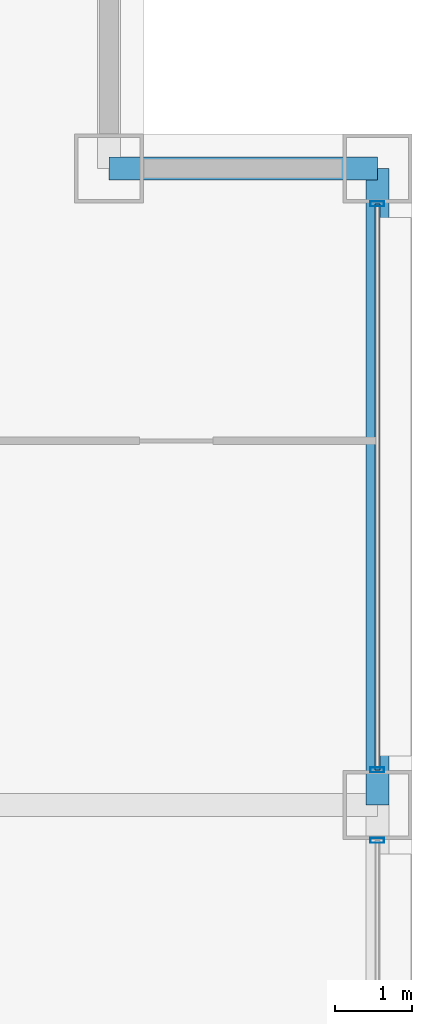
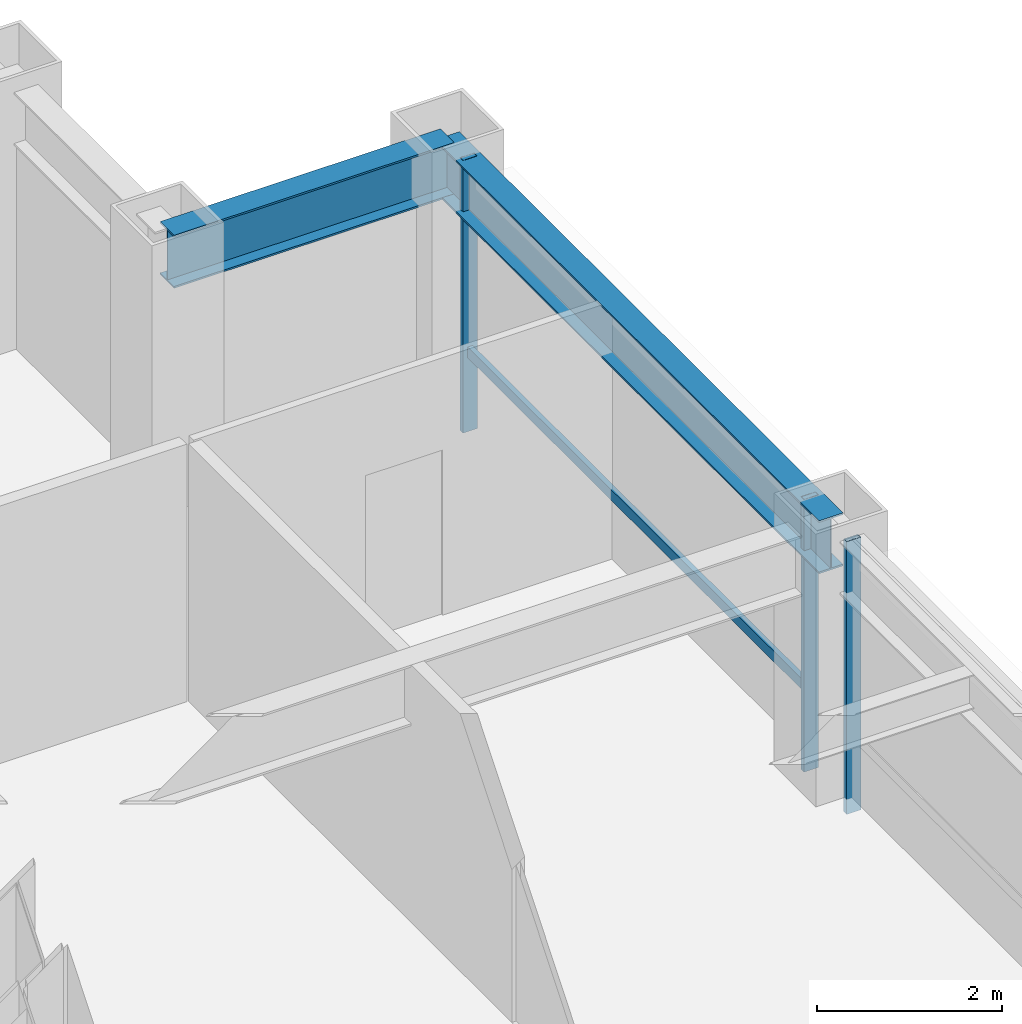
# One storey, part 23 of 29: 4 members, 2 beams, 2 elements without a shape of their own.
"""IFC4 building model written with IfcOpenShell, lengths in metres."""

import ifcopenshell
import ifcopenshell.guid

model = None  # the IFC model being written
_history = None  # IfcOwnerHistory: only IFC2X3 demands one
_inside = {}  # id of a spatial element -> (the spatial element, [elements in it])
_under = {}  # id of a project, library or spatial element -> (it, [spatial elements below it])
_declared = {}  # id of a project -> (the project, [libraries it declares])
_typed = {}  # id of a type object -> (the type object, [elements of that type])
_made_of = {}  # id of a material, layer set ... -> (it, [elements and type objects made of it])


def new_model(schema):
    """Start an empty IFC model of exactly this schema.

    Asked for "IFC4X3", IfcOpenShell would pick the latest addendum, in which some entities
    have other attributes; the version numbers below select the first issue.
    IFC2X3 requires an IfcOwnerHistory on every rooted entity: one is made here for all.
    """
    global model, _history
    if schema == "IFC4X3":
        model = ifcopenshell.file(schema_version=(4, 3, 0, 0))
    else:
        model = ifcopenshell.file(schema=schema)
    _inside.clear()
    _under.clear()
    _declared.clear()
    _typed.clear()
    _made_of.clear()
    _history = None
    if model.schema == "IFC2X3":
        org = make("IfcOrganization", Name="unknown")
        user = make(
            "IfcPersonAndOrganization",
            ThePerson=make("IfcPerson", FamilyName="unknown"),
            TheOrganization=org,
        )
        app = make(
            "IfcApplication",
            ApplicationDeveloper=org,
            Version="unknown",
            ApplicationFullName="unknown",
            ApplicationIdentifier="unknown",
        )
        _history = make(
            "IfcOwnerHistory",
            OwningUser=user,
            OwningApplication=app,
            ChangeAction="ADDED",
            CreationDate=0,
        )
    return model


def make(cls, **values):
    """One entity of the class cls with the attributes given. An attribute that is None is left unset."""
    return model.create_entity(
        cls, **{name: value for name, value in values.items() if value is not None}
    )


def rooted(cls, **values):
    """An entity with a GlobalId (a new one), such as an element, a storey or a relation."""
    return make(cls, GlobalId=ifcopenshell.guid.new(), OwnerHistory=_history, **values)


def si_unit(unit_type, name, prefix=None):
    """IfcSIUnit, for example si_unit("LENGTHUNIT", "METRE", prefix="MILLI")."""
    return make("IfcSIUnit", UnitType=unit_type, Prefix=prefix, Name=name)


def assignment(units):
    """IfcUnitAssignment: the units of a project."""
    return None if units is None else make("IfcUnitAssignment", Units=units)


def point(xyz):
    """IfcCartesianPoint."""
    return None if xyz is None else make("IfcCartesianPoint", Coordinates=xyz)


def direction(xyz):
    """IfcDirection."""
    return None if xyz is None else make("IfcDirection", DirectionRatios=xyz)


def frame(location, z_axis=None, x_axis=None):
    """IfcAxis2Placement3D, a coordinate frame: its origin and axes. An axis left out is left unset."""
    return make(
        "IfcAxis2Placement3D",
        Location=point(location),
        Axis=direction(z_axis),
        RefDirection=direction(x_axis),
    )


def frame_2d(location, x_axis=None):
    """IfcAxis2Placement2D, a coordinate frame in the plane: its origin and x axis."""
    return make(
        "IfcAxis2Placement2D", Location=point(location), RefDirection=direction(x_axis)
    )


def origin():
    """The frame at (0, 0, 0) with its axes left unset."""
    return frame((0.0, 0.0, 0.0))


def origin_2d():
    """The frame at (0, 0) in the plane with its x axis left unset."""
    return frame_2d((0.0, 0.0))


def place(relative_to, where):
    """IfcLocalPlacement: puts the frame where relative to a parent placement (None: the world)."""
    return make(
        "IfcLocalPlacement", PlacementRelTo=relative_to, RelativePlacement=where
    )


def context(
    kind, dimensions, precision=None, world=None, true_north=None, identifier=None
):
    """IfcGeometricRepresentationContext, for example the 3D "Model" context."""
    return make(
        "IfcGeometricRepresentationContext",
        ContextIdentifier=identifier,
        ContextType=kind,
        CoordinateSpaceDimension=dimensions,
        Precision=precision,
        WorldCoordinateSystem=world,
        TrueNorth=true_north,
    )


def subcontext(parent, identifier, kind, view, scale=None):
    """IfcGeometricRepresentationSubContext, for example "Body" below "Model"."""
    return make(
        "IfcGeometricRepresentationSubContext",
        ContextIdentifier=identifier,
        ContextType=kind,
        ParentContext=parent,
        TargetScale=scale,
        TargetView=view,
    )


def project(units=None, contexts=None):
    """IfcProject with its units and contexts."""
    return rooted(
        "IfcProject",
        Name="project",
        RepresentationContexts=contexts,
        UnitsInContext=assignment(units),
    )


def spatial(cls, under=None, at=None, **own):
    """A site, building, storey or space (cls), placed at a placement, below another one or the project."""
    s = rooted(cls, ObjectPlacement=at, **own)
    if under is not None:
        _under.setdefault(under.id(), (under, []))[1].append(s)
    return s


def profile(cls, at=None, kind="AREA", **sizes):
    """A parametric profile (cls). Its sizes go by their IFC names, for example OverallWidth=200.0."""
    return make(cls, ProfileType=kind, Position=at, **sizes)


def hollow_rectangle(**sizes):
    """IfcRectangleHollowProfileDef."""
    return profile("IfcRectangleHollowProfileDef", **sizes)


def i_section(**sizes):
    """IfcIShapeProfileDef."""
    return profile("IfcIShapeProfileDef", **sizes)


def extrude(swept, where, along, depth):
    """IfcExtrudedAreaSolid: the profile swept, set in the frame where, extruded along a direction by depth."""
    return make(
        "IfcExtrudedAreaSolid",
        SweptArea=swept,
        Position=where,
        ExtrudedDirection=direction(along),
        Depth=depth,
    )


def shape(context_of_items, identifier, shape_type, items):
    """IfcShapeRepresentation: the items that make up one representation, for example the "Body"."""
    return make(
        "IfcShapeRepresentation",
        ContextOfItems=context_of_items,
        RepresentationIdentifier=identifier,
        RepresentationType=shape_type,
        Items=items,
    )


def material(Name=None, Category=None):
    """IfcMaterial."""
    return make("IfcMaterial", Name=Name, Category=Category)


def layer(
    of_material, thickness, ventilated=None, Name=None, Category=None, Priority=None
):
    """IfcMaterialLayer: one layer of a wall or slab, of a material (None: an air gap)."""
    return make(
        "IfcMaterialLayer",
        Material=of_material,
        LayerThickness=thickness,
        IsVentilated=ventilated,
        Name=Name,
        Category=Category,
        Priority=Priority,
    )


def layer_set(layers, Name=None):
    """IfcMaterialLayerSet."""
    return make("IfcMaterialLayerSet", MaterialLayers=layers, LayerSetName=Name)


def material_profile(
    of_material, cross_section, Name=None, Category=None, Priority=None
):
    """IfcMaterialProfile: a cross section and its material."""
    return make(
        "IfcMaterialProfile",
        Name=Name,
        Material=of_material,
        Profile=cross_section,
        Priority=Priority,
        Category=Category,
    )


def profile_set(profiles, Name=None, composite=None):
    """IfcMaterialProfileSet."""
    return make(
        "IfcMaterialProfileSet",
        Name=Name,
        MaterialProfiles=profiles,
        CompositeProfile=composite,
    )


def made_of(thing, what):
    """Note that an element or type object is made of a material, layer set ...; save() writes the relation."""
    if what is not None:
        _made_of.setdefault(what.id(), (what, []))[1].append(thing)
    return thing


def type_object(cls, material=None, **own):
    """A type object (cls), such as IfcWallType, which elements share."""
    return made_of(rooted(cls, **own), material)


def element(
    cls,
    number,
    at=None,
    inside=None,
    cuts=None,
    type_object=None,
    material=None,
    context=None,
    identifier="Body",
    shape_type=None,
    held_by="IfcProductDefinitionShape",
    body=None,
    shapes=None,
    **own,
):
    """One element of the class cls, such as IfcWall. Its Tag is "e" and its number.

    at: its placement. inside: the storey or other place that contains it. cuts: it is an
    opening in that element (IfcRelVoidsElement). A single representation is given by context,
    identifier, shape_type and body (its items); several are given by shapes. held_by: the class
    of the entity that holds the representations. save() writes the other relations.
    """
    e = rooted(cls, Tag="e%d" % number, ObjectPlacement=at, **own)
    if body is not None:
        shapes = [shape(context, identifier, shape_type, body)]
    if shapes is not None:
        e.Representation = make(held_by, Representations=shapes)
    if inside is not None:
        _inside.setdefault(inside.id(), (inside, []))[1].append(e)
    if cuts is not None:
        rooted(
            "IfcRelVoidsElement", RelatingBuildingElement=cuts, RelatedOpeningElement=e
        )
    if type_object is not None:
        _typed.setdefault(type_object.id(), (type_object, []))[1].append(e)
    return made_of(e, material)


def aggregate(whole, parts):
    """IfcRelAggregates: a whole, such as a stair, and the parts it consists of."""
    return rooted("IfcRelAggregates", RelatingObject=whole, RelatedObjects=parts)


def save(model, path):
    """Write the relations noted so far, then the file.

    IfcRelAggregates (storeys below a building ...), IfcRelContainedInSpatialStructure (elements
    in a storey), IfcRelDefinesByType, IfcRelAssociatesMaterial and IfcRelDeclares: one each for
    every whole, place, type object, material and project.
    """
    for whole, parts in _under.values():
        aggregate(whole, parts)
    for where, things in _inside.values():
        rooted(
            "IfcRelContainedInSpatialStructure",
            RelatedElements=things,
            RelatingStructure=where,
        )
    for kind, things in _typed.values():
        rooted("IfcRelDefinesByType", RelatedObjects=things, RelatingType=kind)
    for what, things in _made_of.values():
        rooted("IfcRelAssociatesMaterial", RelatedObjects=things, RelatingMaterial=what)
    for by, libraries in _declared.values():
        rooted("IfcRelDeclares", RelatingContext=by, RelatedDefinitions=libraries)
    model.write(path)


model = new_model("IFC4")

# Units and contexts
model_context = context("Model", 3, precision=1e-05, world=origin(), true_north=direction((0.0, 1.0)))
body_context = subcontext(model_context, "Body", "Model", "MODEL_VIEW")
ifc_project = project(units=[si_unit("LENGTHUNIT", "METRE"), si_unit("AREAUNIT", "SQUARE_METRE"), si_unit("VOLUMEUNIT", "CUBIC_METRE"), si_unit("PLANEANGLEUNIT", "RADIAN"), si_unit("MASSUNIT", "GRAM", prefix="KILO")], contexts=[model_context])

# Site, building, storey
site_placement = place(None, origin())
site = spatial("IfcSite", under=ifc_project, at=site_placement, CompositionType="ELEMENT")
building_placement = place(site_placement, origin())
building = spatial("IfcBuilding", under=site, at=building_placement, Name="Brelmoor Portico Tower", CompositionType="ELEMENT")
storey_placement = place(building_placement, frame((0.0, 0.0, 52.800048828125)))
storey = spatial("IfcBuildingStorey", under=building, at=storey_placement, Name="L13", CompositionType="ELEMENT", Elevation=52.800048828125)

# Beams
ifc_material_1 = material(Name="Steel Q355B", Category="steel")
ifc_material_profile_1 = material_profile(ifc_material_1, i_section(OverallWidth=0.300048828125, OverallDepth=0.699951171875, WebThickness=0.012939453125, FlangeThickness=0.02392578125, at=origin_2d()), Name="HN 700x300x13x24")
ifc_profile_set_1 = profile_set([ifc_material_profile_1], Name="Steel Q355B")
beam_type = type_object("IfcBeamType", Name="BM-SP-700", PredefinedType="SPANDREL", material=ifc_profile_set_1)
beam_1_placement = place(storey_placement, frame((21.050048828125, 18.050048828125, 3.050048828125), z_axis=(1.0, 0.0, 0.0), x_axis=(0.0, 1.0, 0.0)))
element("IfcBeam", 1, at=beam_1_placement, inside=storey, type_object=beam_type, Name="L13 Perimeter Spandrel Beam SP-09", PredefinedType="SPANDREL", context=body_context, shape_type="SweptSolid", body=[
    extrude(i_section(OverallWidth=0.300048828125, OverallDepth=0.699951171875, WebThickness=0.012939453125, FlangeThickness=0.02392578125, at=origin_2d()), origin(), (0.0, 0.0, 1.0), 3.5),
])
beam_2_placement = place(storey_placement, frame((24.550048828125, 9.75, 3.050048828125), z_axis=(0.0, 1.0, 0.0), x_axis=(-1.0, 0.0, 0.0)))
element("IfcBeam", 2, at=beam_2_placement, inside=storey, type_object=beam_type, Name="L13 Perimeter Spandrel Beam SP-24", PredefinedType="SPANDREL", context=body_context, shape_type="SweptSolid", body=[
    extrude(i_section(OverallWidth=0.300048828125, OverallDepth=0.699951171875, WebThickness=0.012939453125, FlangeThickness=0.02392578125, at=origin_2d()), origin(), (0.0, 0.0, 1.0), 8.300048828125),
])

# Curtain wall, member
ifc_material_2 = material(Name="Anodised Aluminium Alloy 6063-T6", Category="aluminium")
ifc_layer = layer(ifc_material_2, 0.179931640625)
ifc_layer_set = layer_set([ifc_layer], Name="Anodised Aluminium Alloy 6063-T6")
curtain_wall_type = type_object("IfcCurtainWallType", Name="CW-TOWER-Z1", PredefinedType="NOTDEFINED", material=ifc_layer_set)
curtain_wall_1_placement = place(storey_placement, origin())
curtain_wall_1 = element("IfcCurtainWall", 3, at=curtain_wall_1_placement, inside=storey, type_object=curtain_wall_type, Name="L13 Curtain Wall CW-L13-04-2", PredefinedType="NOTDEFINED")
ifc_material_profile_2 = material_profile(ifc_material_2, hollow_rectangle(XDim=0.06494140625, YDim=0.179931640625, WallThickness=0.00390625, at=origin_2d()), Name="ALU MULLION 65x180")
ifc_profile_set_2 = profile_set([ifc_material_profile_2], Name="Anodised Aluminium Alloy 6063-T6")
member_type_1 = type_object("IfcMemberType", Name="MB-CW-MULL-180", PredefinedType="MULLION", material=ifc_profile_set_2)
member_1_placement = place(storey_placement, frame((24.550048828125, 9.2900390625, -0.199951171875), z_axis=(0.0, 0.0, 1.0), x_axis=(0.0, 1.0, 0.0)))
member_1 = element("IfcMember", 4, at=member_1_placement, type_object=member_type_1, Name="CW-L13-04-2 Mullion 02", PredefinedType="MULLION", context=body_context, shape_type="SweptSolid", body=[
    extrude(hollow_rectangle(XDim=0.06494140625, YDim=0.179931640625, WallThickness=0.00390625, at=origin_2d()), origin(), (0.0, 0.0, 1.0), 3.599853515625),
])
aggregate(curtain_wall_1, [member_1])

# Curtain wall, members
curtain_wall_2_placement = place(storey_placement, origin())
curtain_wall_2 = element("IfcCurtainWall", 5, at=curtain_wall_2_placement, inside=storey, type_object=curtain_wall_type, Name="L13 Curtain Wall CW-L13-04-3", PredefinedType="NOTDEFINED")
member_2_placement = place(storey_placement, frame((24.550048828125, 10.2099609375, -0.199951171875), z_axis=(0.0, 0.0, 1.0), x_axis=(0.0, 1.0, 0.0)))
member_2 = element("IfcMember", 6, at=member_2_placement, type_object=member_type_1, Name="CW-L13-04-3 Mullion 00", PredefinedType="MULLION", context=body_context, shape_type="SweptSolid", body=[
    extrude(hollow_rectangle(XDim=0.06494140625, YDim=0.179931640625, WallThickness=0.00390625, at=origin_2d()), origin(), (0.0, 0.0, 1.0), 3.599853515625),
])
member_3_placement = place(storey_placement, frame((24.550048828125, 17.590087890625, -0.199951171875), z_axis=(0.0, 0.0, 1.0), x_axis=(0.0, 1.0, 0.0)))
member_3 = element("IfcMember", 7, at=member_3_placement, type_object=member_type_1, Name="CW-L13-04-3 Mullion 01", PredefinedType="MULLION", context=body_context, shape_type="SweptSolid", body=[
    extrude(hollow_rectangle(XDim=0.06494140625, YDim=0.179931640625, WallThickness=0.00390625, at=origin_2d()), origin(), (0.0, 0.0, 1.0), 3.599853515625),
])
ifc_material_profile_3 = material_profile(ifc_material_2, hollow_rectangle(XDim=0.06494140625, YDim=0.139892578125, WallThickness=0.00390625, at=origin_2d()), Name="ALU TRANSOM 65x140")
ifc_profile_set_3 = profile_set([ifc_material_profile_3], Name="Anodised Aluminium Alloy 6063-T6")
member_type_2 = type_object("IfcMemberType", Name="MB-CW-TRAN-140", PredefinedType="USERDEFINED", material=ifc_profile_set_3)
member_4_placement = place(storey_placement, frame((24.550048828125, 10.2099609375, 0.849853515625), z_axis=(0.0, 1.0, 0.0), x_axis=(-1.0, 0.0, 0.0)))
member_4 = element("IfcMember", 8, at=member_4_placement, type_object=member_type_2, Name="CW-L13-04-3 Transom 1-00", ObjectType="TRANSOM", PredefinedType="USERDEFINED", context=body_context, shape_type="SweptSolid", body=[
    extrude(hollow_rectangle(XDim=0.06494140625, YDim=0.139892578125, WallThickness=0.00390625, at=origin_2d()), origin(), (0.0, 0.0, 1.0), 7.380126953125),
])
aggregate(curtain_wall_2, [member_2, member_3, member_4])

save(model, "model.ifc")
